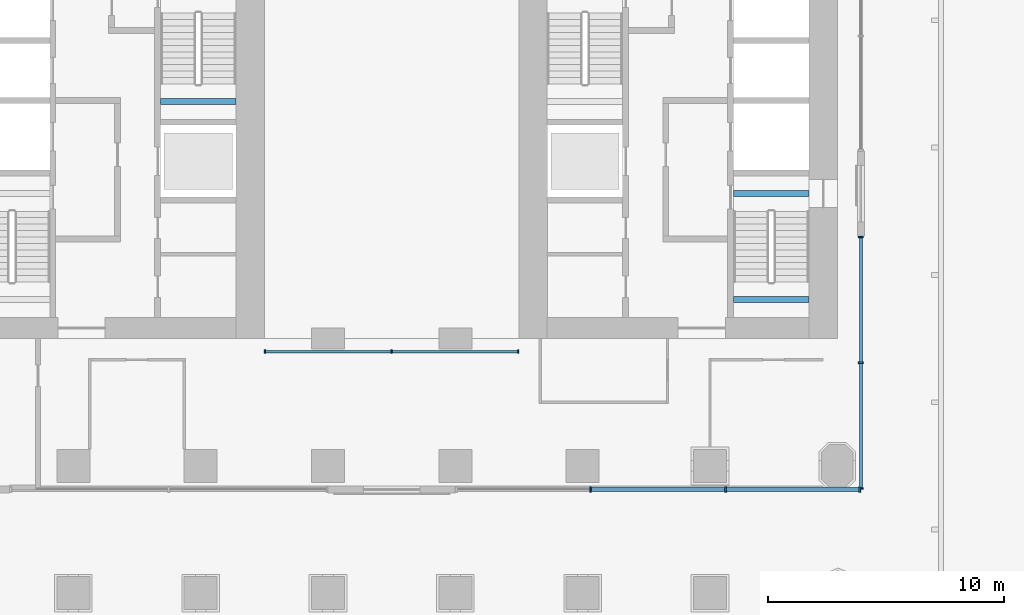
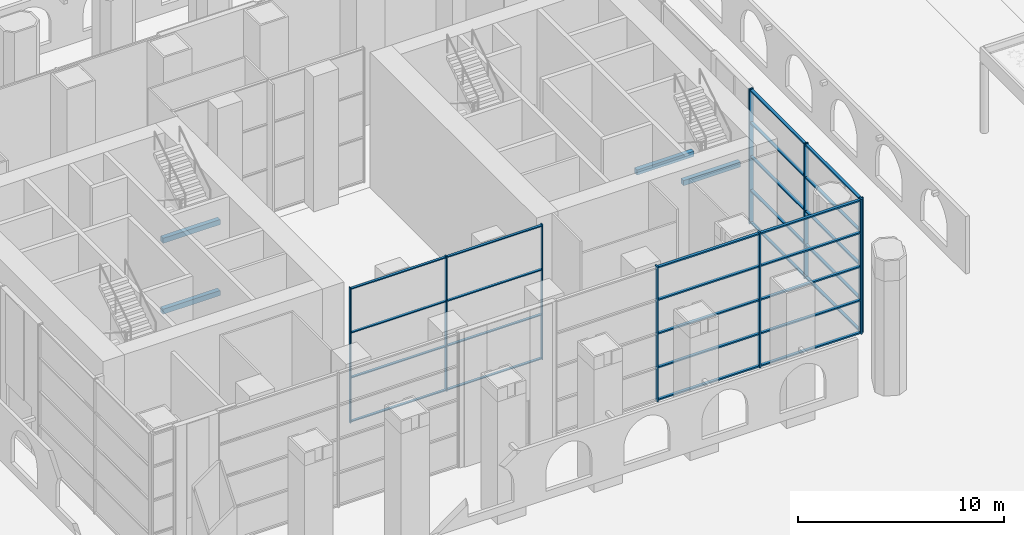
# One storey, part 9 of 54: 37 members, 4 beams, 3 elements without a shape of their own.
"""IFC4 building model written with IfcOpenShell, lengths in metres."""

from ifc_helpers import new_model, si_unit, direction, frame, origin, origin_2d, place, context, subcontext, project, spatial, rectangle, extrude, material, material_profile, profile_set, type_object, element, aggregate, save


model = new_model("IFC4")

# Units and contexts
model_context = context("Model", 3, precision=1e-05, world=origin(), true_north=direction((0.0, 1.0)))
body_context = subcontext(model_context, "Body", "Model", "MODEL_VIEW")
ifc_project = project(units=[si_unit("LENGTHUNIT", "METRE"), si_unit("AREAUNIT", "SQUARE_METRE"), si_unit("VOLUMEUNIT", "CUBIC_METRE"), si_unit("PLANEANGLEUNIT", "RADIAN"), si_unit("MASSUNIT", "GRAM", prefix="KILO")], contexts=[model_context])

# Site, building, storey
site_placement = place(None, origin())
site = spatial("IfcSite", under=ifc_project, at=site_placement, CompositionType="ELEMENT")
building_placement = place(site_placement, origin())
building = spatial("IfcBuilding", under=site, at=building_placement, Name="Tabaq Tower and Sports Hall", CompositionType="ELEMENT")
storey_placement = place(building_placement, origin())
storey = spatial("IfcBuildingStorey", under=building, at=storey_placement, Name="L00", CompositionType="ELEMENT", Elevation=0.0)

# Curtain wall, members
ifc_material_1 = material(Name="Aluminium alloy 6063-T6 framed glazing", Category="aluminium")
curtain_wall_type_1 = type_object("IfcCurtainWallType", Name="CW1 curtain wall", PredefinedType="USERDEFINED", material=ifc_material_1)
curtain_wall_1_placement = place(storey_placement, origin())
curtain_wall_1 = element("IfcCurtainWall", 1, at=curtain_wall_1_placement, inside=storey, type_object=curtain_wall_type_1, Name="Atrium glazing L00 S", ObjectType="ATRIUM ENCLOSURE", PredefinedType="USERDEFINED")
ifc_material_2 = material(Name="Aluminium alloy 6063-T6", Category="aluminium")
ifc_material_profile_1 = material_profile(ifc_material_2, rectangle(XDim=0.159912109375, YDim=0.06005859375, at=origin_2d()), Name="MULLION 160x60")
ifc_profile_set_1 = profile_set([ifc_material_profile_1], Name="Aluminium alloy 6063-T6")
member_type_1 = type_object("IfcMemberType", Name="CW1 mullion 160x60", PredefinedType="MULLION", material=ifc_profile_set_1)
member_1_placement = place(storey_placement, frame((18.929931640625, 15.64990234375, 0.0), z_axis=(0.0, 0.0, 1.0), x_axis=(0.0, 1.0, 0.0)))
member_1 = element("IfcMember", 2, at=member_1_placement, type_object=member_type_1, Name="CW1 mullion 1", PredefinedType="MULLION", context=body_context, shape_type="SweptSolid", body=[
    extrude(rectangle(XDim=0.159912109375, YDim=0.06005859375, at=origin_2d()), origin(), (0.0, 0.0, 1.0), 8.0),
])
member_2_placement = place(storey_placement, frame((24.300048828125, 15.64990234375, 0.0), z_axis=(0.0, 0.0, 1.0), x_axis=(0.0, 1.0, 0.0)))
member_2 = element("IfcMember", 3, at=member_2_placement, type_object=member_type_1, Name="CW1 mullion 2", PredefinedType="MULLION", context=body_context, shape_type="SweptSolid", body=[
    extrude(rectangle(XDim=0.159912109375, YDim=0.06005859375, at=origin_2d()), origin(), (0.0, 0.0, 1.0), 8.0),
])
member_3_placement = place(storey_placement, frame((29.669921875, 15.64990234375, 0.0), z_axis=(0.0, 0.0, 1.0), x_axis=(0.0, 1.0, 0.0)))
member_3 = element("IfcMember", 4, at=member_3_placement, type_object=member_type_1, Name="CW1 mullion 3", PredefinedType="MULLION", context=body_context, shape_type="SweptSolid", body=[
    extrude(rectangle(XDim=0.159912109375, YDim=0.06005859375, at=origin_2d()), origin(), (0.0, 0.0, 1.0), 8.0),
])
ifc_material_3 = material(Name="Aluminium alloy 6063-T6", Category="aluminium")
ifc_material_profile_2 = material_profile(ifc_material_3, rectangle(XDim=0.139892578125, YDim=0.06005859375, at=origin_2d()), Name="TRANSOM 140x60")
ifc_profile_set_2 = profile_set([ifc_material_profile_2], Name="Aluminium alloy 6063-T6")
member_type_2 = type_object("IfcMemberType", Name="CW1 transom 140x60", PredefinedType="USERDEFINED", material=ifc_profile_set_2)
member_4_placement = place(storey_placement, frame((18.9599609375, 15.64990234375, 0.070068359375), z_axis=(1.0, 0.0, 0.0), x_axis=(0.0, 1.0, 0.0)))
member_4 = element("IfcMember", 5, at=member_4_placement, type_object=member_type_2, Name="CW1 transom 1.1", ObjectType="TRANSOM", PredefinedType="USERDEFINED", context=body_context, shape_type="SweptSolid", body=[
    extrude(rectangle(XDim=0.139892578125, YDim=0.06005859375, at=origin_2d()), origin(), (0.0, 0.0, 1.0), 5.31005859375),
])
member_5_placement = place(storey_placement, frame((18.9599609375, 15.64990234375, 2.666748046875), z_axis=(1.0, 0.0, 0.0), x_axis=(0.0, 1.0, 0.0)))
member_5 = element("IfcMember", 6, at=member_5_placement, type_object=member_type_2, Name="CW1 transom 1.2", ObjectType="TRANSOM", PredefinedType="USERDEFINED", context=body_context, shape_type="SweptSolid", body=[
    extrude(rectangle(XDim=0.139892578125, YDim=0.06005859375, at=origin_2d()), origin(), (0.0, 0.0, 1.0), 5.31005859375),
])
member_6_placement = place(storey_placement, frame((18.9599609375, 15.64990234375, 5.333251953125), z_axis=(1.0, 0.0, 0.0), x_axis=(0.0, 1.0, 0.0)))
member_6 = element("IfcMember", 7, at=member_6_placement, type_object=member_type_2, Name="CW1 transom 1.3", ObjectType="TRANSOM", PredefinedType="USERDEFINED", context=body_context, shape_type="SweptSolid", body=[
    extrude(rectangle(XDim=0.139892578125, YDim=0.06005859375, at=origin_2d()), origin(), (0.0, 0.0, 1.0), 5.31005859375),
])
member_7_placement = place(storey_placement, frame((18.9599609375, 15.64990234375, 7.929931640625), z_axis=(1.0, 0.0, 0.0), x_axis=(0.0, 1.0, 0.0)))
member_7 = element("IfcMember", 8, at=member_7_placement, type_object=member_type_2, Name="CW1 transom 1.4", ObjectType="TRANSOM", PredefinedType="USERDEFINED", context=body_context, shape_type="SweptSolid", body=[
    extrude(rectangle(XDim=0.139892578125, YDim=0.06005859375, at=origin_2d()), origin(), (0.0, 0.0, 1.0), 5.31005859375),
])
member_8_placement = place(storey_placement, frame((24.330078125, 15.64990234375, 0.070068359375), z_axis=(1.0, 0.0, 0.0), x_axis=(0.0, 1.0, 0.0)))
member_8 = element("IfcMember", 9, at=member_8_placement, type_object=member_type_2, Name="CW1 transom 2.1", ObjectType="TRANSOM", PredefinedType="USERDEFINED", context=body_context, shape_type="SweptSolid", body=[
    extrude(rectangle(XDim=0.139892578125, YDim=0.06005859375, at=origin_2d()), origin(), (0.0, 0.0, 1.0), 5.309814453125),
])
member_9_placement = place(storey_placement, frame((24.330078125, 15.64990234375, 2.666748046875), z_axis=(1.0, 0.0, 0.0), x_axis=(0.0, 1.0, 0.0)))
member_9 = element("IfcMember", 10, at=member_9_placement, type_object=member_type_2, Name="CW1 transom 2.2", ObjectType="TRANSOM", PredefinedType="USERDEFINED", context=body_context, shape_type="SweptSolid", body=[
    extrude(rectangle(XDim=0.139892578125, YDim=0.06005859375, at=origin_2d()), origin(), (0.0, 0.0, 1.0), 5.309814453125),
])
member_10_placement = place(storey_placement, frame((24.330078125, 15.64990234375, 5.333251953125), z_axis=(1.0, 0.0, 0.0), x_axis=(0.0, 1.0, 0.0)))
member_10 = element("IfcMember", 11, at=member_10_placement, type_object=member_type_2, Name="CW1 transom 2.3", ObjectType="TRANSOM", PredefinedType="USERDEFINED", context=body_context, shape_type="SweptSolid", body=[
    extrude(rectangle(XDim=0.139892578125, YDim=0.06005859375, at=origin_2d()), origin(), (0.0, 0.0, 1.0), 5.309814453125),
])
member_11_placement = place(storey_placement, frame((24.330078125, 15.64990234375, 7.929931640625), z_axis=(1.0, 0.0, 0.0), x_axis=(0.0, 1.0, 0.0)))
member_11 = element("IfcMember", 12, at=member_11_placement, type_object=member_type_2, Name="CW1 transom 2.4", ObjectType="TRANSOM", PredefinedType="USERDEFINED", context=body_context, shape_type="SweptSolid", body=[
    extrude(rectangle(XDim=0.139892578125, YDim=0.06005859375, at=origin_2d()), origin(), (0.0, 0.0, 1.0), 5.309814453125),
])
aggregate(curtain_wall_1, [member_1, member_2, member_3, member_4, member_5, member_6, member_7, member_8, member_9, member_10, member_11])

ifc_material_4 = material(Name="Aluminium alloy 6063-T6 framed glazing", Category="aluminium")
curtain_wall_type_2 = type_object("IfcCurtainWallType", Name="CW4 curtain wall", PredefinedType="USERDEFINED", material=ifc_material_4)
curtain_wall_2_placement = place(storey_placement, origin())
curtain_wall_2 = element("IfcCurtainWall", 13, at=curtain_wall_2_placement, inside=storey, type_object=curtain_wall_type_2, Name="Ground lobby wall S", ObjectType="GROUND LOBBY WALL", PredefinedType="USERDEFINED")
ifc_material_5 = material(Name="Aluminium alloy 6063-T6", Category="aluminium")
ifc_material_profile_3 = material_profile(ifc_material_5, rectangle(XDim=0.219970703125, YDim=0.080078125, at=origin_2d()), Name="MULLION 220x80")
ifc_profile_set_3 = profile_set([ifc_material_profile_3], Name="Aluminium alloy 6063-T6")
member_type_3 = type_object("IfcMemberType", Name="CW4 mullion 220x80", PredefinedType="MULLION", material=ifc_profile_set_3)
member_12_placement = place(storey_placement, frame((44.159912109375, 9.800048828125, 0.0), z_axis=(0.0, 0.0, 1.0), x_axis=(0.0, -1.0, 0.0)))
member_12 = element("IfcMember", 14, at=member_12_placement, type_object=member_type_3, Name="CW4 mullion 1", PredefinedType="MULLION", context=body_context, shape_type="SweptSolid", body=[
    extrude(rectangle(XDim=0.219970703125, YDim=0.080078125, at=origin_2d()), origin(), (0.0, 0.0, 1.0), 8.0),
])
member_13_placement = place(storey_placement, frame((38.466552734375, 9.800048828125, 0.0), z_axis=(0.0, 0.0, 1.0), x_axis=(0.0, -1.0, 0.0)))
member_13 = element("IfcMember", 15, at=member_13_placement, type_object=member_type_3, Name="CW4 mullion 2", PredefinedType="MULLION", context=body_context, shape_type="SweptSolid", body=[
    extrude(rectangle(XDim=0.219970703125, YDim=0.080078125, at=origin_2d()), origin(), (0.0, 0.0, 1.0), 8.0),
])
member_14_placement = place(storey_placement, frame((32.7333984375, 9.800048828125, 0.0), z_axis=(0.0, 0.0, 1.0), x_axis=(0.0, -1.0, 0.0)))
member_14 = element("IfcMember", 16, at=member_14_placement, type_object=member_type_3, Name="CW4 mullion 3", PredefinedType="MULLION", context=body_context, shape_type="SweptSolid", body=[
    extrude(rectangle(XDim=0.219970703125, YDim=0.080078125, at=origin_2d()), origin(), (0.0, 0.0, 1.0), 8.0),
])

curtain_wall_3_placement = place(storey_placement, origin())
curtain_wall_3 = element("IfcCurtainWall", 17, at=curtain_wall_3_placement, inside=storey, type_object=curtain_wall_type_2, Name="Ground lobby wall E", ObjectType="GROUND LOBBY WALL", PredefinedType="USERDEFINED")
member_15_placement = place(storey_placement, frame((44.199951171875, 20.510009765625, 0.0), z_axis=(0.0, 0.0, 1.0), x_axis=(1.0, 0.0, 0.0)))
member_15 = element("IfcMember", 18, at=member_15_placement, type_object=member_type_3, Name="CW4 mullion 1", PredefinedType="MULLION", context=body_context, shape_type="SweptSolid", body=[
    extrude(rectangle(XDim=0.219970703125, YDim=0.080078125, at=origin_2d()), origin(), (0.0, 0.0, 1.0), 8.0),
])
member_16_placement = place(storey_placement, frame((44.199951171875, 15.175048828125, 0.0), z_axis=(0.0, 0.0, 1.0), x_axis=(1.0, 0.0, 0.0)))
member_16 = element("IfcMember", 19, at=member_16_placement, type_object=member_type_3, Name="CW4 mullion 2", PredefinedType="MULLION", context=body_context, shape_type="SweptSolid", body=[
    extrude(rectangle(XDim=0.219970703125, YDim=0.080078125, at=origin_2d()), origin(), (0.0, 0.0, 1.0), 8.0),
])
member_17_placement = place(storey_placement, frame((44.199951171875, 9.840087890625, 0.0), z_axis=(0.0, 0.0, 1.0), x_axis=(1.0, 0.0, 0.0)))
member_17 = element("IfcMember", 20, at=member_17_placement, type_object=member_type_3, Name="CW4 mullion 3", PredefinedType="MULLION", context=body_context, shape_type="SweptSolid", body=[
    extrude(rectangle(XDim=0.219970703125, YDim=0.080078125, at=origin_2d()), origin(), (0.0, 0.0, 1.0), 8.0),
])

# Member
ifc_material_6 = material(Name="Aluminium alloy 6063-T6", Category="aluminium")
ifc_material_profile_4 = material_profile(ifc_material_6, rectangle(XDim=0.159912109375, YDim=0.080078125, at=origin_2d()), Name="TRANSOM 160x80")
ifc_profile_set_4 = profile_set([ifc_material_profile_4], Name="Aluminium alloy 6063-T6")
member_type_4 = type_object("IfcMemberType", Name="CW4 transom 160x80", PredefinedType="USERDEFINED", material=ifc_profile_set_4)
member_18_placement = place(storey_placement, frame((44.1201171875, 9.800048828125, 0.080078125), z_axis=(-1.0, 0.0, 0.0), x_axis=(0.0, -1.0, 0.0)))
member_18 = element("IfcMember", 21, at=member_18_placement, type_object=member_type_4, Name="CW4 transom 1.1", ObjectType="TRANSOM", PredefinedType="USERDEFINED", context=body_context, shape_type="SweptSolid", body=[
    extrude(rectangle(XDim=0.159912109375, YDim=0.080078125, at=origin_2d()), origin(), (0.0, 0.0, 1.0), 5.613525390625),
])

member_19_placement = place(storey_placement, frame((44.1201171875, 9.800048828125, 2.0), z_axis=(-1.0, 0.0, 0.0), x_axis=(0.0, -1.0, 0.0)))
member_19 = element("IfcMember", 22, at=member_19_placement, type_object=member_type_4, Name="CW4 transom 1.2", ObjectType="TRANSOM", PredefinedType="USERDEFINED", context=body_context, shape_type="SweptSolid", body=[
    extrude(rectangle(XDim=0.159912109375, YDim=0.080078125, at=origin_2d()), origin(), (0.0, 0.0, 1.0), 5.613525390625),
])

member_20_placement = place(storey_placement, frame((44.1201171875, 9.800048828125, 4.0), z_axis=(-1.0, 0.0, 0.0), x_axis=(0.0, -1.0, 0.0)))
member_20 = element("IfcMember", 23, at=member_20_placement, type_object=member_type_4, Name="CW4 transom 1.3", ObjectType="TRANSOM", PredefinedType="USERDEFINED", context=body_context, shape_type="SweptSolid", body=[
    extrude(rectangle(XDim=0.159912109375, YDim=0.080078125, at=origin_2d()), origin(), (0.0, 0.0, 1.0), 5.613525390625),
])

member_21_placement = place(storey_placement, frame((44.1201171875, 9.800048828125, 6.0), z_axis=(-1.0, 0.0, 0.0), x_axis=(0.0, -1.0, 0.0)))
member_21 = element("IfcMember", 24, at=member_21_placement, type_object=member_type_4, Name="CW4 transom 1.4", ObjectType="TRANSOM", PredefinedType="USERDEFINED", context=body_context, shape_type="SweptSolid", body=[
    extrude(rectangle(XDim=0.159912109375, YDim=0.080078125, at=origin_2d()), origin(), (0.0, 0.0, 1.0), 5.613525390625),
])

member_22_placement = place(storey_placement, frame((44.1201171875, 9.800048828125, 7.919921875), z_axis=(-1.0, 0.0, 0.0), x_axis=(0.0, -1.0, 0.0)))
member_22 = element("IfcMember", 25, at=member_22_placement, type_object=member_type_4, Name="CW4 transom 1.5", ObjectType="TRANSOM", PredefinedType="USERDEFINED", context=body_context, shape_type="SweptSolid", body=[
    extrude(rectangle(XDim=0.159912109375, YDim=0.080078125, at=origin_2d()), origin(), (0.0, 0.0, 1.0), 5.613525390625),
])

member_23_placement = place(storey_placement, frame((38.4267578125, 9.800048828125, 0.080078125), z_axis=(-1.0, 0.0, 0.0), x_axis=(0.0, -1.0, 0.0)))
member_23 = element("IfcMember", 26, at=member_23_placement, type_object=member_type_4, Name="CW4 transom 2.1", ObjectType="TRANSOM", PredefinedType="USERDEFINED", context=body_context, shape_type="SweptSolid", body=[
    extrude(rectangle(XDim=0.159912109375, YDim=0.080078125, at=origin_2d()), origin(), (0.0, 0.0, 1.0), 5.6533203125),
])

member_24_placement = place(storey_placement, frame((38.4267578125, 9.800048828125, 2.0), z_axis=(-1.0, 0.0, 0.0), x_axis=(0.0, -1.0, 0.0)))
member_24 = element("IfcMember", 27, at=member_24_placement, type_object=member_type_4, Name="CW4 transom 2.2", ObjectType="TRANSOM", PredefinedType="USERDEFINED", context=body_context, shape_type="SweptSolid", body=[
    extrude(rectangle(XDim=0.159912109375, YDim=0.080078125, at=origin_2d()), origin(), (0.0, 0.0, 1.0), 5.6533203125),
])

member_25_placement = place(storey_placement, frame((38.4267578125, 9.800048828125, 4.0), z_axis=(-1.0, 0.0, 0.0), x_axis=(0.0, -1.0, 0.0)))
member_25 = element("IfcMember", 28, at=member_25_placement, type_object=member_type_4, Name="CW4 transom 2.3", ObjectType="TRANSOM", PredefinedType="USERDEFINED", context=body_context, shape_type="SweptSolid", body=[
    extrude(rectangle(XDim=0.159912109375, YDim=0.080078125, at=origin_2d()), origin(), (0.0, 0.0, 1.0), 5.6533203125),
])

member_26_placement = place(storey_placement, frame((38.4267578125, 9.800048828125, 6.0), z_axis=(-1.0, 0.0, 0.0), x_axis=(0.0, -1.0, 0.0)))
member_26 = element("IfcMember", 29, at=member_26_placement, type_object=member_type_4, Name="CW4 transom 2.4", ObjectType="TRANSOM", PredefinedType="USERDEFINED", context=body_context, shape_type="SweptSolid", body=[
    extrude(rectangle(XDim=0.159912109375, YDim=0.080078125, at=origin_2d()), origin(), (0.0, 0.0, 1.0), 5.6533203125),
])

member_27_placement = place(storey_placement, frame((38.4267578125, 9.800048828125, 7.919921875), z_axis=(-1.0, 0.0, 0.0), x_axis=(0.0, -1.0, 0.0)))
member_27 = element("IfcMember", 30, at=member_27_placement, type_object=member_type_4, Name="CW4 transom 2.5", ObjectType="TRANSOM", PredefinedType="USERDEFINED", context=body_context, shape_type="SweptSolid", body=[
    extrude(rectangle(XDim=0.159912109375, YDim=0.080078125, at=origin_2d()), origin(), (0.0, 0.0, 1.0), 5.6533203125),
])

aggregate(curtain_wall_2, [member_12, member_13, member_14, member_18, member_19, member_20, member_21, member_22, member_23, member_24, member_25, member_26, member_27])

member_28_placement = place(storey_placement, frame((44.199951171875, 20.469970703125, 0.080078125), z_axis=(0.0, -1.0, 0.0), x_axis=(1.0, 0.0, 0.0)))
member_28 = element("IfcMember", 31, at=member_28_placement, type_object=member_type_4, Name="CW4 transom 1.1", ObjectType="TRANSOM", PredefinedType="USERDEFINED", context=body_context, shape_type="SweptSolid", body=[
    extrude(rectangle(XDim=0.159912109375, YDim=0.080078125, at=origin_2d()), origin(), (0.0, 0.0, 1.0), 5.2548828125),
])

member_29_placement = place(storey_placement, frame((44.199951171875, 20.469970703125, 2.0), z_axis=(0.0, -1.0, 0.0), x_axis=(1.0, 0.0, 0.0)))
member_29 = element("IfcMember", 32, at=member_29_placement, type_object=member_type_4, Name="CW4 transom 1.2", ObjectType="TRANSOM", PredefinedType="USERDEFINED", context=body_context, shape_type="SweptSolid", body=[
    extrude(rectangle(XDim=0.159912109375, YDim=0.080078125, at=origin_2d()), origin(), (0.0, 0.0, 1.0), 5.2548828125),
])

member_30_placement = place(storey_placement, frame((44.199951171875, 20.469970703125, 4.0), z_axis=(0.0, -1.0, 0.0), x_axis=(1.0, 0.0, 0.0)))
member_30 = element("IfcMember", 33, at=member_30_placement, type_object=member_type_4, Name="CW4 transom 1.3", ObjectType="TRANSOM", PredefinedType="USERDEFINED", context=body_context, shape_type="SweptSolid", body=[
    extrude(rectangle(XDim=0.159912109375, YDim=0.080078125, at=origin_2d()), origin(), (0.0, 0.0, 1.0), 5.2548828125),
])

member_31_placement = place(storey_placement, frame((44.199951171875, 20.469970703125, 6.0), z_axis=(0.0, -1.0, 0.0), x_axis=(1.0, 0.0, 0.0)))
member_31 = element("IfcMember", 34, at=member_31_placement, type_object=member_type_4, Name="CW4 transom 1.4", ObjectType="TRANSOM", PredefinedType="USERDEFINED", context=body_context, shape_type="SweptSolid", body=[
    extrude(rectangle(XDim=0.159912109375, YDim=0.080078125, at=origin_2d()), origin(), (0.0, 0.0, 1.0), 5.2548828125),
])

member_32_placement = place(storey_placement, frame((44.199951171875, 20.469970703125, 7.919921875), z_axis=(0.0, -1.0, 0.0), x_axis=(1.0, 0.0, 0.0)))
member_32 = element("IfcMember", 35, at=member_32_placement, type_object=member_type_4, Name="CW4 transom 1.5", ObjectType="TRANSOM", PredefinedType="USERDEFINED", context=body_context, shape_type="SweptSolid", body=[
    extrude(rectangle(XDim=0.159912109375, YDim=0.080078125, at=origin_2d()), origin(), (0.0, 0.0, 1.0), 5.2548828125),
])

member_33_placement = place(storey_placement, frame((44.199951171875, 15.135009765625, 0.080078125), z_axis=(0.0, -1.0, 0.0), x_axis=(1.0, 0.0, 0.0)))
member_33 = element("IfcMember", 36, at=member_33_placement, type_object=member_type_4, Name="CW4 transom 2.1", ObjectType="TRANSOM", PredefinedType="USERDEFINED", context=body_context, shape_type="SweptSolid", body=[
    extrude(rectangle(XDim=0.159912109375, YDim=0.080078125, at=origin_2d()), origin(), (0.0, 0.0, 1.0), 5.255126953125),
])

member_34_placement = place(storey_placement, frame((44.199951171875, 15.135009765625, 2.0), z_axis=(0.0, -1.0, 0.0), x_axis=(1.0, 0.0, 0.0)))
member_34 = element("IfcMember", 37, at=member_34_placement, type_object=member_type_4, Name="CW4 transom 2.2", ObjectType="TRANSOM", PredefinedType="USERDEFINED", context=body_context, shape_type="SweptSolid", body=[
    extrude(rectangle(XDim=0.159912109375, YDim=0.080078125, at=origin_2d()), origin(), (0.0, 0.0, 1.0), 5.255126953125),
])

member_35_placement = place(storey_placement, frame((44.199951171875, 15.135009765625, 4.0), z_axis=(0.0, -1.0, 0.0), x_axis=(1.0, 0.0, 0.0)))
member_35 = element("IfcMember", 38, at=member_35_placement, type_object=member_type_4, Name="CW4 transom 2.3", ObjectType="TRANSOM", PredefinedType="USERDEFINED", context=body_context, shape_type="SweptSolid", body=[
    extrude(rectangle(XDim=0.159912109375, YDim=0.080078125, at=origin_2d()), origin(), (0.0, 0.0, 1.0), 5.255126953125),
])

member_36_placement = place(storey_placement, frame((44.199951171875, 15.135009765625, 6.0), z_axis=(0.0, -1.0, 0.0), x_axis=(1.0, 0.0, 0.0)))
member_36 = element("IfcMember", 39, at=member_36_placement, type_object=member_type_4, Name="CW4 transom 2.4", ObjectType="TRANSOM", PredefinedType="USERDEFINED", context=body_context, shape_type="SweptSolid", body=[
    extrude(rectangle(XDim=0.159912109375, YDim=0.080078125, at=origin_2d()), origin(), (0.0, 0.0, 1.0), 5.255126953125),
])

member_37_placement = place(storey_placement, frame((44.199951171875, 15.135009765625, 7.919921875), z_axis=(0.0, -1.0, 0.0), x_axis=(1.0, 0.0, 0.0)))
member_37 = element("IfcMember", 40, at=member_37_placement, type_object=member_type_4, Name="CW4 transom 2.5", ObjectType="TRANSOM", PredefinedType="USERDEFINED", context=body_context, shape_type="SweptSolid", body=[
    extrude(rectangle(XDim=0.159912109375, YDim=0.080078125, at=origin_2d()), origin(), (0.0, 0.0, 1.0), 5.255126953125),
])

aggregate(curtain_wall_3, [member_15, member_16, member_17, member_28, member_29, member_30, member_31, member_32, member_33, member_34, member_35, member_36, member_37])

# Beams
ifc_material_7 = material(Name="Concrete C40/50", Category="concrete")
ifc_material_profile_5 = material_profile(ifc_material_7, rectangle(XDim=0.25, YDim=0.300048828125, at=origin_2d()), Name="RC 250x300")
ifc_profile_set_5 = profile_set([ifc_material_profile_5], Name="Concrete C40/50")
beam_type = type_object("IfcBeamType", Name="Stair landing beam 250x300", PredefinedType="BEAM", material=ifc_profile_set_5)
for number, where, z_axis, x_axis, name in (
    (41, (14.5, 26.25, 1.75), (1.0, 0.0, 0.0), (0.0, 1.0, 0.0), "L00 ST2 landing beam 1"),
    (42, (14.5, 26.25, 5.949951171875), (1.0, 0.0, 0.0), (0.0, 1.0, 0.0), "L00 ST2 landing beam 3"),
    (43, (38.800048828125, 22.35009765625, 3.85009765625), (1.0, 0.0, 0.0), (0.0, 1.0, 0.0), "L00 ST3 landing beam 2"),
    (44, (38.800048828125, 17.85009765625, 5.949951171875), (1.0, 0.0, 0.0), (0.0, 1.0, 0.0), "L00 ST3 landing beam 3"),
):
    element("IfcBeam", number, at=place(storey_placement, frame(where, z_axis=z_axis, x_axis=x_axis)), inside=storey, type_object=beam_type, Name=name, PredefinedType="BEAM", context=body_context, shape_type="SweptSolid", body=[
        extrude(rectangle(XDim=0.25, YDim=0.300048828125, at=origin_2d()), origin(), (0.0, 0.0, 1.0), 3.199951171875),
    ])

save(model, "model.ifc")
